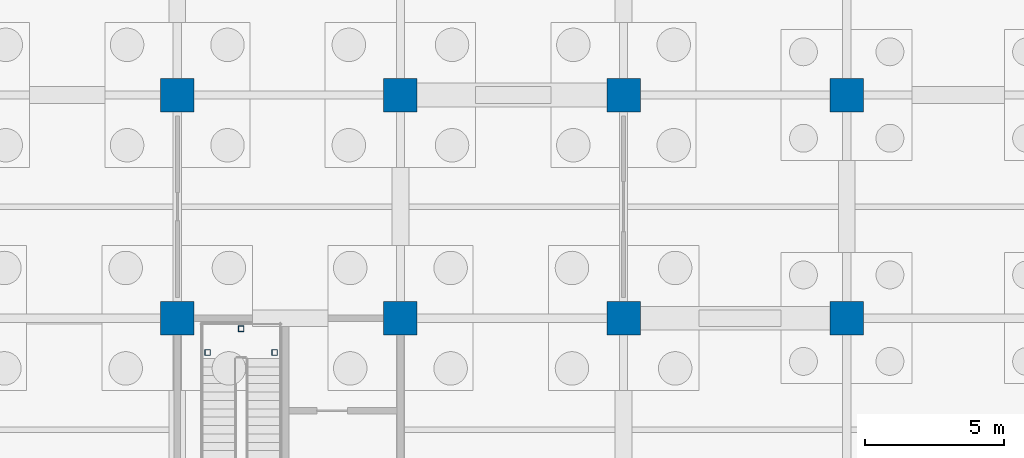
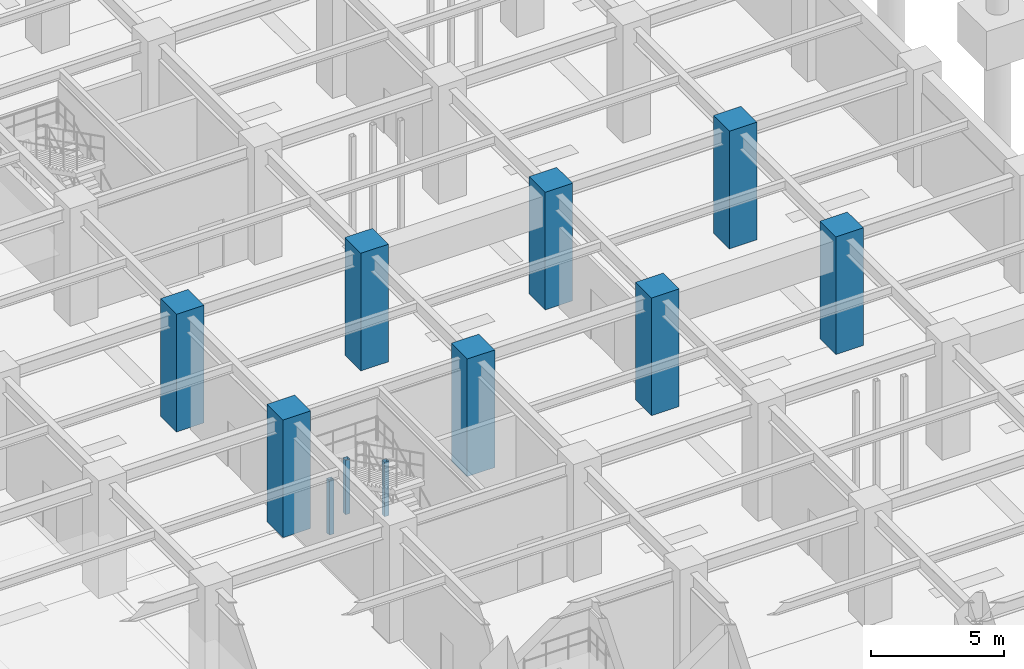
# One storey, part 31 of 97: 11 columns.
"""IFC4 building model written with IfcOpenShell, lengths in metres."""

from ifc_helpers import new_model, si_unit, direction, frame, origin, origin_2d, place, context, subcontext, project, spatial, rectangle, hollow_rectangle, extrude, material, material_profile, profile_set, type_object, element, save


model = new_model("IFC4")

# Units and contexts
model_context = context("Model", 3, precision=1e-05, world=origin(), true_north=direction((0.0, 1.0)))
body_context = subcontext(model_context, "Body", "Model", "MODEL_VIEW")
ifc_project = project(units=[si_unit("LENGTHUNIT", "METRE"), si_unit("AREAUNIT", "SQUARE_METRE"), si_unit("VOLUMEUNIT", "CUBIC_METRE"), si_unit("PLANEANGLEUNIT", "RADIAN"), si_unit("MASSUNIT", "GRAM", prefix="KILO")], contexts=[model_context])

# Site, building, storey
site_placement = place(None, origin())
site = spatial("IfcSite", under=ifc_project, at=site_placement, CompositionType="ELEMENT")
building_placement = place(site_placement, origin())
building = spatial("IfcBuilding", under=site, at=building_placement, Name="Haebicheon Civic Stadium", CompositionType="ELEMENT")
storey_placement = place(building_placement, frame((0.0, 0.0, -5.39990234375)))
storey = spatial("IfcBuildingStorey", under=building, at=storey_placement, Name="B1", CompositionType="ELEMENT", Elevation=-5.39990234375)

# Columns
ifc_material_1 = material(Name="Concrete C40/50", Category="concrete")
ifc_material_profile_1 = material_profile(ifc_material_1, rectangle(XDim=1.199951171875, YDim=1.199951171875, at=origin_2d()), Name="RC-COL-1200x1200")
ifc_profile_set_1 = profile_set([ifc_material_profile_1], Name="Concrete C40/50")
column_type_1 = type_object("IfcColumnType", Name="COL-RC-1200", PredefinedType="COLUMN", material=ifc_profile_set_1)
for number, where, z_axis, x_axis, name in (
    (1, (32.0, 64.0, 0.0), (0.0, 0.0, 1.0), (1.0, 0.0, 0.0), "B1 column 5/J"),
    (2, (32.0, 72.0, 0.0), (0.0, 0.0, 1.0), (1.0, 0.0, 0.0), "B1 column 5/K"),
    (3, (40.0, 64.0, 0.0), (0.0, 0.0, 1.0), (1.0, 0.0, 0.0), "B1 column 6/J"),
    (4, (40.0, 72.0, 0.0), (0.0, 0.0, 1.0), (1.0, 0.0, 0.0), "B1 column 6/K"),
    (5, (48.0, 64.0, 0.0), (0.0, 0.0, 1.0), (1.0, 0.0, 0.0), "B1 column 7/J"),
    (6, (48.0, 72.0, 0.0), (0.0, 0.0, 1.0), (1.0, 0.0, 0.0), "B1 column 7/K"),
    (7, (56.0, 64.0, 0.0), (0.0, 0.0, 1.0), (1.0, 0.0, 0.0), "B1 column 8/J"),
    (8, (56.0, 72.0, 0.0), (0.0, 0.0, 1.0), (1.0, 0.0, 0.0), "B1 column 8/K"),
):
    element("IfcColumn", number, at=place(storey_placement, frame(where, z_axis=z_axis, x_axis=x_axis)), inside=storey, type_object=column_type_1, material=ifc_profile_set_1, Name=name, PredefinedType="COLUMN", context=body_context, shape_type="SweptSolid", body=[
        extrude(rectangle(XDim=1.199951171875, YDim=1.199951171875, at=origin_2d()), origin(), (0.0, 0.0, 1.0), 5.39990234375),
    ])
ifc_material_2 = material(Name="Steel SM355 (S355)", Category="steel")
ifc_material_profile_2 = material_profile(ifc_material_2, hollow_rectangle(XDim=0.199951171875, YDim=0.199951171875, WallThickness=0.009033203125, at=origin_2d()), Name="RHS-200x200x9.0")
ifc_profile_set_2 = profile_set([ifc_material_profile_2], Name="Steel SM355 (S355)")
column_type_2 = type_object("IfcColumnType", Name="COL-ST-RHS200", PredefinedType="COLUMN", material=ifc_profile_set_2)
for number, where, z_axis, x_axis, name in (
    (9, (33.090087890625, 62.77001953125, 0.0), (0.0, 0.0, 1.0), (1.0, 0.0, 0.0), "KC-02 B1 stair half-landing support post A"),
    (10, (35.489990234375, 62.77001953125, 0.0), (0.0, 0.0, 1.0), (1.0, 0.0, 0.0), "KC-02 B1 stair half-landing support post B"),
    (11, (34.2900390625, 63.6201171875, 0.0), (0.0, 0.0, 1.0), (1.0, 0.0, 0.0), "KC-02 B1 stair half-landing support post C"),
):
    element("IfcColumn", number, at=place(storey_placement, frame(where, z_axis=z_axis, x_axis=x_axis)), inside=storey, type_object=column_type_2, material=ifc_profile_set_2, Name=name, PredefinedType="COLUMN", context=body_context, shape_type="SweptSolid", body=[
        extrude(hollow_rectangle(XDim=0.199951171875, YDim=0.199951171875, WallThickness=0.009033203125, at=origin_2d()), origin(), (0.0, 0.0, 1.0), 2.5),
    ])

save(model, "model.ifc")
